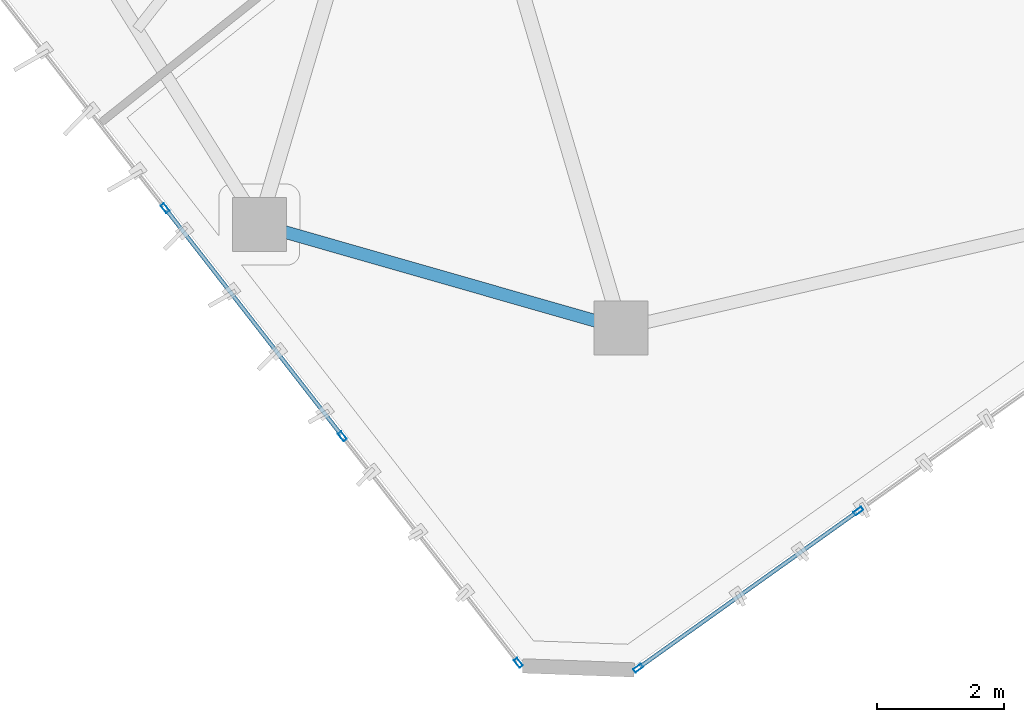
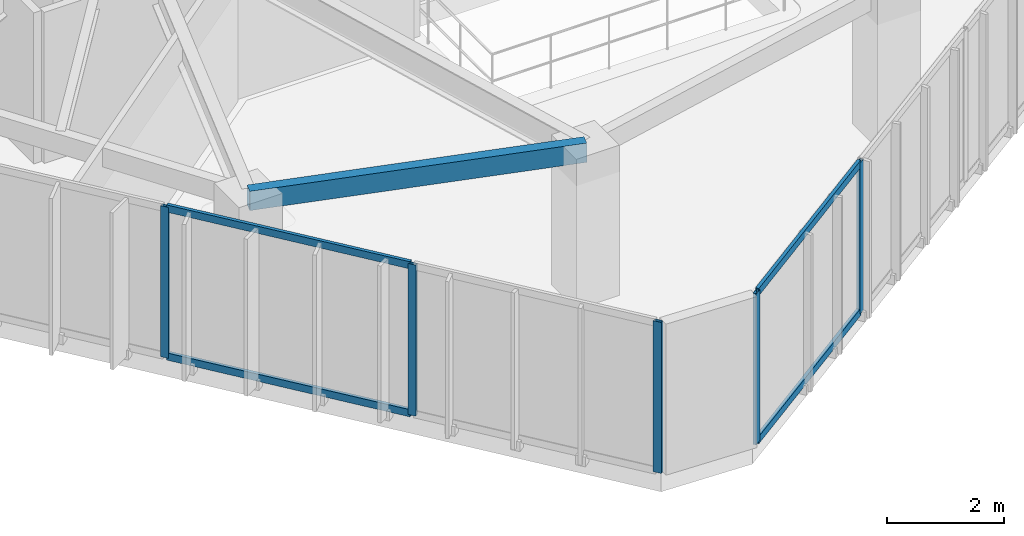
# One storey, part 2 of 19: 9 members, 1 beam, 2 elements without a shape of their own.
"""IFC4 building model written with IfcOpenShell, lengths in metres."""

from ifc_helpers import new_model, si_unit, direction, frame, origin, origin_2d, place, context, subcontext, project, spatial, hollow_rectangle, extrude, source, transform, mapped, material, layer, layer_set, material_profile, profile_set, type_object, type_shapes, element, aggregate, save


model = new_model("IFC4")

# Units and contexts
model_context = context("Model", 3, precision=1e-05, world=origin(), true_north=direction((0.0, 1.0)))
body_context = subcontext(model_context, "Body", "Model", "MODEL_VIEW")
ifc_project = project(units=[si_unit("LENGTHUNIT", "METRE"), si_unit("AREAUNIT", "SQUARE_METRE"), si_unit("VOLUMEUNIT", "CUBIC_METRE"), si_unit("PLANEANGLEUNIT", "RADIAN"), si_unit("MASSUNIT", "GRAM", prefix="KILO")], contexts=[model_context])

# Site, building, storey
site_placement = place(None, origin())
site = spatial("IfcSite", under=ifc_project, at=site_placement, CompositionType="ELEMENT")
building_placement = place(site_placement, origin())
building = spatial("IfcBuilding", under=site, at=building_placement, Name="Talar Marvaseh", CompositionType="ELEMENT")
storey_placement = place(building_placement, frame((0.0, 0.0, 240.800048828125)))
storey = spatial("IfcBuildingStorey", under=building, at=storey_placement, Name="L63", CompositionType="ELEMENT", Elevation=240.800048828125)

# Beam
ifc_material_1 = material(Name="Steel S355", Category="steel")
ifc_material_profile_1 = material_profile(ifc_material_1, hollow_rectangle(XDim=0.199951171875, YDim=0.39990234375, WallThickness=0.013916015625, at=origin_2d()), Name="RHS400x200x14")
ifc_profile_set_1 = profile_set([ifc_material_profile_1], Name="Steel S355")
beam_type = type_object("IfcBeamType", Name="Zone 3 Perimeter Spandrel Beam RHS400x200x14", PredefinedType="SPANDREL", material=ifc_profile_set_1)
beam_placement = place(storey_placement, frame((21.77587890625, 15.0400390625, 2.93994140625), z_axis=(-0.961411768303, 0.275113452538, 0.0), x_axis=(-0.275113452538, -0.961411768303, 0.0)))
element("IfcBeam", 1, at=beam_placement, inside=storey, type_object=beam_type, Name="L63 Zone 3 Perimeter Spandrel Beam RHS400x200x14", PredefinedType="SPANDREL", context=body_context, shape_type="SweptSolid", body=[
    extrude(hollow_rectangle(XDim=0.199951171875, YDim=0.39990234375, WallThickness=0.013916015625, at=origin_2d()), origin(), (0.0, 0.0, 1.0), 5.917236328125),
])

# Curtain wall, members
ifc_material_2 = material(Name="Architectural Aluminium", Category="aluminium")
ifc_layer = layer(ifc_material_2, 0.179931640625)
ifc_layer_set = layer_set([ifc_layer], Name="Architectural Aluminium")
curtain_wall_type = type_object("IfcCurtainWallType", Name="Unitised High-Wind Sky Curtain Wall Z4", PredefinedType="NOTDEFINED", material=ifc_layer_set)
curtain_wall_1_placement = place(storey_placement, origin())
curtain_wall_1 = element("IfcCurtainWall", 2, at=curtain_wall_1_placement, inside=storey, type_object=curtain_wall_type, Name="L63 Unitised High-Wind Sky Curtain Wall Z4", PredefinedType="NOTDEFINED")
ifc_material_profile_2 = material_profile(ifc_material_2, hollow_rectangle(XDim=0.06494140625, YDim=0.14990234375, WallThickness=0.00390625, at=origin_2d()), Name="RHS150x65x4")
ifc_profile_set_2 = profile_set([ifc_material_profile_2], Name="Architectural Aluminium")
member_type_1 = type_object("IfcMemberType", Name="Unitised Curtain Wall Slim Mullion RHS150x65x4", PredefinedType="MULLION", material=ifc_profile_set_2)
shared_shape_1 = source(origin(), body_context, "Body", "SweptSolid", [
    extrude(hollow_rectangle(XDim=0.06494140625, YDim=0.14990234375, WallThickness=0.00390625, at=origin_2d()), origin(), (0.0, 0.0, 1.0), 3.139892578125),
])
type_shapes(member_type_1, [shared_shape_1])
member_1_placement = place(storey_placement, frame((20.162841796875, 9.77587890625, 0.0), z_axis=(0.0, 0.0, 1.0), x_axis=(-0.789660549831, -0.613543980526, 0.0)))
member_1 = element("IfcMember", 3, at=member_1_placement, type_object=member_type_1, Name="CW-Z4 mullion 1", PredefinedType="MULLION", context=body_context, shape_type="MappedRepresentation", body=[
    mapped(shared_shape_1, transform((0.0, 0.0, 0.0), x_axis=(1.0, 0.0, 0.0), y_axis=(0.0, 1.0, 0.0), z_axis=(0.0, 0.0, 1.0), scale=1.0)),
])
member_2_placement = place(storey_placement, frame((17.394287109375, 13.339111328125, 0.0), z_axis=(0.0, 0.0, 1.0), x_axis=(-0.789660549831, -0.613543980526, 0.0)))
member_2 = element("IfcMember", 4, at=member_2_placement, type_object=member_type_1, Name="CW-Z4 mullion 2", PredefinedType="MULLION", context=body_context, shape_type="MappedRepresentation", body=[
    mapped(shared_shape_1, transform((0.0, 0.0, 0.0), x_axis=(1.0, 0.0, 0.0), y_axis=(0.0, 1.0, 0.0), z_axis=(0.0, 0.0, 1.0), scale=1.0)),
])
member_3_placement = place(storey_placement, frame((14.605712890625, 16.927978515625, 0.0), z_axis=(0.0, 0.0, 1.0), x_axis=(-0.789660549831, -0.613543980526, 0.0)))
member_3 = element("IfcMember", 5, at=member_3_placement, type_object=member_type_1, Name="CW-Z4 mullion 3", PredefinedType="MULLION", context=body_context, shape_type="MappedRepresentation", body=[
    mapped(shared_shape_1, transform((0.0, 0.0, 0.0), x_axis=(1.0, 0.0, 0.0), y_axis=(0.0, 1.0, 0.0), z_axis=(0.0, 0.0, 1.0), scale=1.0)),
])

curtain_wall_2_placement = place(storey_placement, origin())
curtain_wall_2 = element("IfcCurtainWall", 6, at=curtain_wall_2_placement, inside=storey, type_object=curtain_wall_type, Name="L63 Unitised High-Wind Sky Curtain Wall Z4", PredefinedType="NOTDEFINED")
member_4_placement = place(storey_placement, frame((25.510986328125, 12.164306640625, 0.0), z_axis=(0.0, 0.0, 1.0), x_axis=(0.580831495854, -0.814023816251, 0.0)))
member_4 = element("IfcMember", 7, at=member_4_placement, type_object=member_type_1, Name="CW-Z4 mullion 4", PredefinedType="MULLION", context=body_context, shape_type="MappedRepresentation", body=[
    mapped(shared_shape_1, transform((0.0, 0.0, 0.0), x_axis=(1.0, 0.0, 0.0), y_axis=(0.0, 1.0, 0.0), z_axis=(0.0, 0.0, 1.0), scale=1.0)),
])
member_5_placement = place(storey_placement, frame((22.04833984375, 9.693359375, 0.0), z_axis=(0.0, 0.0, 1.0), x_axis=(0.580831495854, -0.814023816251, 0.0)))
member_5 = element("IfcMember", 8, at=member_5_placement, type_object=member_type_1, Name="CW-Z4 mullion 5", PredefinedType="MULLION", context=body_context, shape_type="MappedRepresentation", body=[
    mapped(shared_shape_1, transform((0.0, 0.0, 0.0), x_axis=(1.0, 0.0, 0.0), y_axis=(0.0, 1.0, 0.0), z_axis=(0.0, 0.0, 1.0), scale=1.0)),
])

# Member
ifc_material_profile_3 = material_profile(ifc_material_2, hollow_rectangle(XDim=0.06494140625, YDim=0.14990234375, WallThickness=0.00390625, at=origin_2d()), Name="RHS150x65x4")
ifc_profile_set_3 = profile_set([ifc_material_profile_3], Name="Architectural Aluminium")
member_type_2 = type_object("IfcMemberType", Name="Unitised Curtain Wall Slim Transom RHS150x65x4", PredefinedType="USERDEFINED", material=ifc_profile_set_3)
shared_shape_2 = source(origin(), body_context, "Body", "SweptSolid", [
    extrude(hollow_rectangle(XDim=0.06494140625, YDim=0.14990234375, WallThickness=0.00390625, at=origin_2d()), origin(), (0.0, 0.0, 1.0), 4.479736328125),
])
member_6_placement = place(storey_placement, frame((17.374267578125, 13.36474609375, 0.032470703125), z_axis=(-0.613533057965, 0.789669036233, 0.0), x_axis=(-0.789669036233, -0.613533057965, 0.0)))
member_6 = element("IfcMember", 9, at=member_6_placement, type_object=member_type_2, Name="CW-Z4 transom 2.1", ObjectType="TRANSOM", PredefinedType="USERDEFINED", context=body_context, shape_type="MappedRepresentation", body=[
    mapped(shared_shape_2, transform((0.0, 0.0, 0.0), x_axis=(1.0, 0.0, 0.0), y_axis=(0.0, 1.0, 0.0), z_axis=(0.0, 0.0, 1.0), scale=1.0)),
])

member_7_placement = place(storey_placement, frame((17.374267578125, 13.36474609375, 3.107421875), z_axis=(-0.613533057965, 0.789669036233, 0.0), x_axis=(-0.789669036233, -0.613533057965, 0.0)))
member_7 = element("IfcMember", 10, at=member_7_placement, type_object=member_type_2, Name="CW-Z4 transom 2.2", ObjectType="TRANSOM", PredefinedType="USERDEFINED", context=body_context, shape_type="MappedRepresentation", body=[
    mapped(shared_shape_2, transform((0.0, 0.0, 0.0), x_axis=(1.0, 0.0, 0.0), y_axis=(0.0, 1.0, 0.0), z_axis=(0.0, 0.0, 1.0), scale=1.0)),
])

aggregate(curtain_wall_1, [member_1, member_2, member_3, member_6, member_7])

shared_shape_3 = source(origin(), body_context, "Body", "SweptSolid", [
    extrude(hollow_rectangle(XDim=0.06494140625, YDim=0.14990234375, WallThickness=0.00390625, at=origin_2d()), origin(), (0.0, 0.0, 1.0), 4.188720703125),
])
type_shapes(member_type_2, [shared_shape_2, shared_shape_3])
member_8_placement = place(storey_placement, frame((25.484375, 12.145263671875, 0.032470703125), z_axis=(-0.814028736724, -0.580824599847, 0.0), x_axis=(0.580824599847, -0.814028736724, 0.0)))
member_8 = element("IfcMember", 11, at=member_8_placement, type_object=member_type_2, Name="CW-Z4 transom 4.1", ObjectType="TRANSOM", PredefinedType="USERDEFINED", context=body_context, shape_type="MappedRepresentation", body=[
    mapped(shared_shape_3, transform((0.0, 0.0, 0.0), x_axis=(1.0, 0.0, 0.0), y_axis=(0.0, 1.0, 0.0), z_axis=(0.0, 0.0, 1.0), scale=1.0)),
])

member_9_placement = place(storey_placement, frame((25.484375, 12.145263671875, 3.107421875), z_axis=(-0.814028736724, -0.580824599847, 0.0), x_axis=(0.580824599847, -0.814028736724, 0.0)))
member_9 = element("IfcMember", 12, at=member_9_placement, type_object=member_type_2, Name="CW-Z4 transom 4.2", ObjectType="TRANSOM", PredefinedType="USERDEFINED", context=body_context, shape_type="MappedRepresentation", body=[
    mapped(shared_shape_3, transform((0.0, 0.0, 0.0), x_axis=(1.0, 0.0, 0.0), y_axis=(0.0, 1.0, 0.0), z_axis=(0.0, 0.0, 1.0), scale=1.0)),
])

aggregate(curtain_wall_2, [member_4, member_5, member_8, member_9])

save(model, "model.ifc")
